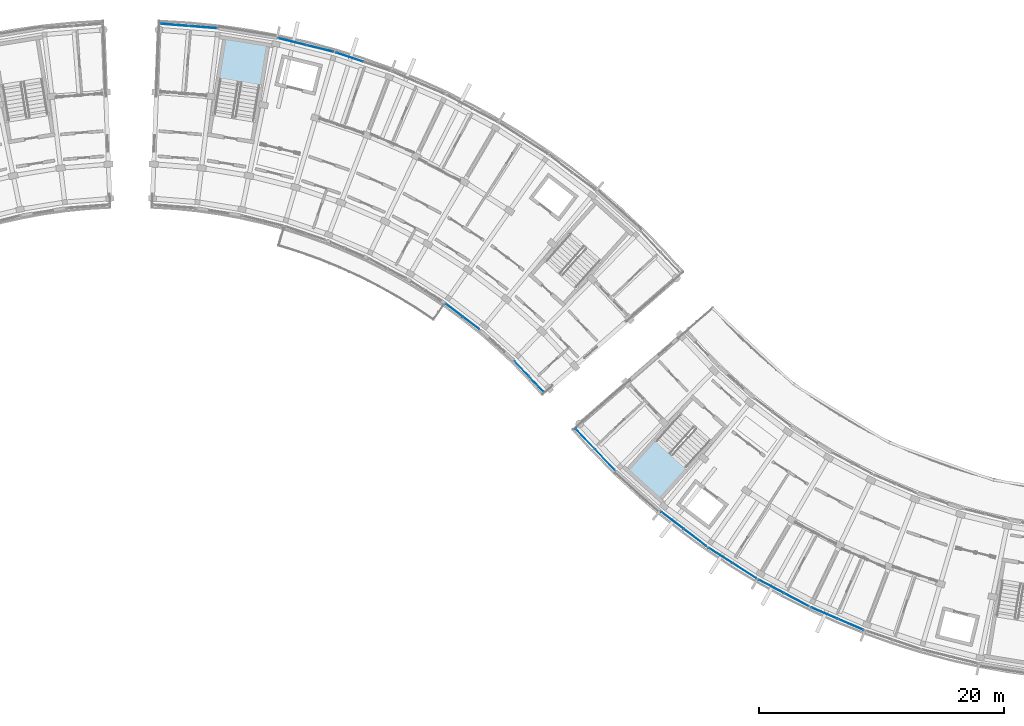
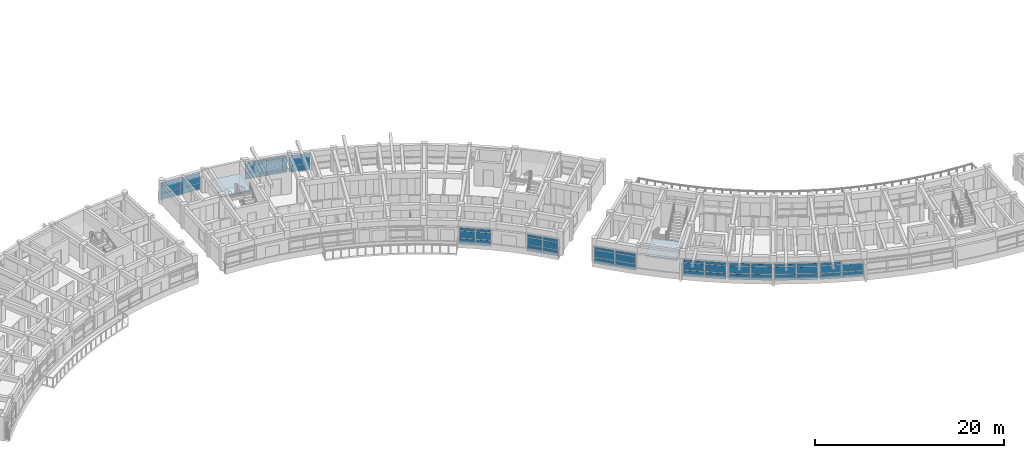
# One storey, part 22 of 54: 56 plates, 2 slabs, 12 elements without a shape of their own.
"""IFC4 building model written with IfcOpenShell, lengths in metres."""

import ifcopenshell
import ifcopenshell.guid

model = None  # the IFC model being written
_history = None  # IfcOwnerHistory: only IFC2X3 demands one
_inside = {}  # id of a spatial element -> (the spatial element, [elements in it])
_under = {}  # id of a project, library or spatial element -> (it, [spatial elements below it])
_declared = {}  # id of a project -> (the project, [libraries it declares])
_typed = {}  # id of a type object -> (the type object, [elements of that type])
_made_of = {}  # id of a material, layer set ... -> (it, [elements and type objects made of it])


def new_model(schema):
    """Start an empty IFC model of exactly this schema.

    Asked for "IFC4X3", IfcOpenShell would pick the latest addendum, in which some entities
    have other attributes; the version numbers below select the first issue.
    IFC2X3 requires an IfcOwnerHistory on every rooted entity: one is made here for all.
    """
    global model, _history
    if schema == "IFC4X3":
        model = ifcopenshell.file(schema_version=(4, 3, 0, 0))
    else:
        model = ifcopenshell.file(schema=schema)
    _inside.clear()
    _under.clear()
    _declared.clear()
    _typed.clear()
    _made_of.clear()
    _history = None
    if model.schema == "IFC2X3":
        org = make("IfcOrganization", Name="unknown")
        user = make(
            "IfcPersonAndOrganization",
            ThePerson=make("IfcPerson", FamilyName="unknown"),
            TheOrganization=org,
        )
        app = make(
            "IfcApplication",
            ApplicationDeveloper=org,
            Version="unknown",
            ApplicationFullName="unknown",
            ApplicationIdentifier="unknown",
        )
        _history = make(
            "IfcOwnerHistory",
            OwningUser=user,
            OwningApplication=app,
            ChangeAction="ADDED",
            CreationDate=0,
        )
    return model


def make(cls, **values):
    """One entity of the class cls with the attributes given. An attribute that is None is left unset."""
    return model.create_entity(
        cls, **{name: value for name, value in values.items() if value is not None}
    )


def rooted(cls, **values):
    """An entity with a GlobalId (a new one), such as an element, a storey or a relation."""
    return make(cls, GlobalId=ifcopenshell.guid.new(), OwnerHistory=_history, **values)


def si_unit(unit_type, name, prefix=None):
    """IfcSIUnit, for example si_unit("LENGTHUNIT", "METRE", prefix="MILLI")."""
    return make("IfcSIUnit", UnitType=unit_type, Prefix=prefix, Name=name)


def assignment(units):
    """IfcUnitAssignment: the units of a project."""
    return None if units is None else make("IfcUnitAssignment", Units=units)


def point(xyz):
    """IfcCartesianPoint."""
    return None if xyz is None else make("IfcCartesianPoint", Coordinates=xyz)


def direction(xyz):
    """IfcDirection."""
    return None if xyz is None else make("IfcDirection", DirectionRatios=xyz)


def frame(location, z_axis=None, x_axis=None):
    """IfcAxis2Placement3D, a coordinate frame: its origin and axes. An axis left out is left unset."""
    return make(
        "IfcAxis2Placement3D",
        Location=point(location),
        Axis=direction(z_axis),
        RefDirection=direction(x_axis),
    )


def frame_2d(location, x_axis=None):
    """IfcAxis2Placement2D, a coordinate frame in the plane: its origin and x axis."""
    return make(
        "IfcAxis2Placement2D", Location=point(location), RefDirection=direction(x_axis)
    )


def origin():
    """The frame at (0, 0, 0) with its axes left unset."""
    return frame((0.0, 0.0, 0.0))


def origin_2d():
    """The frame at (0, 0) in the plane with its x axis left unset."""
    return frame_2d((0.0, 0.0))


def place(relative_to, where):
    """IfcLocalPlacement: puts the frame where relative to a parent placement (None: the world)."""
    return make(
        "IfcLocalPlacement", PlacementRelTo=relative_to, RelativePlacement=where
    )


def context(
    kind, dimensions, precision=None, world=None, true_north=None, identifier=None
):
    """IfcGeometricRepresentationContext, for example the 3D "Model" context."""
    return make(
        "IfcGeometricRepresentationContext",
        ContextIdentifier=identifier,
        ContextType=kind,
        CoordinateSpaceDimension=dimensions,
        Precision=precision,
        WorldCoordinateSystem=world,
        TrueNorth=true_north,
    )


def subcontext(parent, identifier, kind, view, scale=None):
    """IfcGeometricRepresentationSubContext, for example "Body" below "Model"."""
    return make(
        "IfcGeometricRepresentationSubContext",
        ContextIdentifier=identifier,
        ContextType=kind,
        ParentContext=parent,
        TargetScale=scale,
        TargetView=view,
    )


def project(units=None, contexts=None):
    """IfcProject with its units and contexts."""
    return rooted(
        "IfcProject",
        Name="project",
        RepresentationContexts=contexts,
        UnitsInContext=assignment(units),
    )


def spatial(cls, under=None, at=None, **own):
    """A site, building, storey or space (cls), placed at a placement, below another one or the project."""
    s = rooted(cls, ObjectPlacement=at, **own)
    if under is not None:
        _under.setdefault(under.id(), (under, []))[1].append(s)
    return s


def polyline(points):
    """IfcPolyline through the points."""
    return make("IfcPolyline", Points=[point(p) for p in points])


def profile(cls, at=None, kind="AREA", **sizes):
    """A parametric profile (cls). Its sizes go by their IFC names, for example OverallWidth=200.0."""
    return make(cls, ProfileType=kind, Position=at, **sizes)


def rectangle(**sizes):
    """IfcRectangleProfileDef."""
    return profile("IfcRectangleProfileDef", **sizes)


def outline(outer, holes=None, kind="AREA"):
    """IfcArbitraryClosedProfileDef: a profile drawn as a closed curve; with holes, ...WithVoids."""
    if holes is None:
        return make("IfcArbitraryClosedProfileDef", ProfileType=kind, OuterCurve=outer)
    return make(
        "IfcArbitraryProfileDefWithVoids",
        ProfileType=kind,
        OuterCurve=outer,
        InnerCurves=holes,
    )


def extrude(swept, where, along, depth):
    """IfcExtrudedAreaSolid: the profile swept, set in the frame where, extruded along a direction by depth."""
    return make(
        "IfcExtrudedAreaSolid",
        SweptArea=swept,
        Position=where,
        ExtrudedDirection=direction(along),
        Depth=depth,
    )


def shape(context_of_items, identifier, shape_type, items):
    """IfcShapeRepresentation: the items that make up one representation, for example the "Body"."""
    return make(
        "IfcShapeRepresentation",
        ContextOfItems=context_of_items,
        RepresentationIdentifier=identifier,
        RepresentationType=shape_type,
        Items=items,
    )


def material(Name=None, Category=None):
    """IfcMaterial."""
    return make("IfcMaterial", Name=Name, Category=Category)


def layer(
    of_material, thickness, ventilated=None, Name=None, Category=None, Priority=None
):
    """IfcMaterialLayer: one layer of a wall or slab, of a material (None: an air gap)."""
    return make(
        "IfcMaterialLayer",
        Material=of_material,
        LayerThickness=thickness,
        IsVentilated=ventilated,
        Name=Name,
        Category=Category,
        Priority=Priority,
    )


def layer_set(layers, Name=None):
    """IfcMaterialLayerSet."""
    return make("IfcMaterialLayerSet", MaterialLayers=layers, LayerSetName=Name)


def made_of(thing, what):
    """Note that an element or type object is made of a material, layer set ...; save() writes the relation."""
    if what is not None:
        _made_of.setdefault(what.id(), (what, []))[1].append(thing)
    return thing


def type_object(cls, material=None, **own):
    """A type object (cls), such as IfcWallType, which elements share."""
    return made_of(rooted(cls, **own), material)


def element(
    cls,
    number,
    at=None,
    inside=None,
    cuts=None,
    type_object=None,
    material=None,
    context=None,
    identifier="Body",
    shape_type=None,
    held_by="IfcProductDefinitionShape",
    body=None,
    shapes=None,
    **own,
):
    """One element of the class cls, such as IfcWall. Its Tag is "e" and its number.

    at: its placement. inside: the storey or other place that contains it. cuts: it is an
    opening in that element (IfcRelVoidsElement). A single representation is given by context,
    identifier, shape_type and body (its items); several are given by shapes. held_by: the class
    of the entity that holds the representations. save() writes the other relations.
    """
    e = rooted(cls, Tag="e%d" % number, ObjectPlacement=at, **own)
    if body is not None:
        shapes = [shape(context, identifier, shape_type, body)]
    if shapes is not None:
        e.Representation = make(held_by, Representations=shapes)
    if inside is not None:
        _inside.setdefault(inside.id(), (inside, []))[1].append(e)
    if cuts is not None:
        rooted(
            "IfcRelVoidsElement", RelatingBuildingElement=cuts, RelatedOpeningElement=e
        )
    if type_object is not None:
        _typed.setdefault(type_object.id(), (type_object, []))[1].append(e)
    return made_of(e, material)


def aggregate(whole, parts):
    """IfcRelAggregates: a whole, such as a stair, and the parts it consists of."""
    return rooted("IfcRelAggregates", RelatingObject=whole, RelatedObjects=parts)


def save(model, path):
    """Write the relations noted so far, then the file.

    IfcRelAggregates (storeys below a building ...), IfcRelContainedInSpatialStructure (elements
    in a storey), IfcRelDefinesByType, IfcRelAssociatesMaterial and IfcRelDeclares: one each for
    every whole, place, type object, material and project.
    """
    for whole, parts in _under.values():
        aggregate(whole, parts)
    for where, things in _inside.values():
        rooted(
            "IfcRelContainedInSpatialStructure",
            RelatedElements=things,
            RelatingStructure=where,
        )
    for kind, things in _typed.values():
        rooted("IfcRelDefinesByType", RelatedObjects=things, RelatingType=kind)
    for what, things in _made_of.values():
        rooted("IfcRelAssociatesMaterial", RelatedObjects=things, RelatingMaterial=what)
    for by, libraries in _declared.values():
        rooted("IfcRelDeclares", RelatingContext=by, RelatedDefinitions=libraries)
    model.write(path)


model = new_model("IFC4")

# Units and contexts
model_context = context("Model", 3, precision=1e-05, world=origin(), true_north=direction((0.0, 1.0)))
body_context = subcontext(model_context, "Body", "Model", "MODEL_VIEW")
ifc_project = project(units=[si_unit("LENGTHUNIT", "METRE"), si_unit("AREAUNIT", "SQUARE_METRE"), si_unit("VOLUMEUNIT", "CUBIC_METRE"), si_unit("PLANEANGLEUNIT", "RADIAN"), si_unit("MASSUNIT", "GRAM", prefix="KILO")], contexts=[model_context])

# Site, building, storey
site_placement = place(None, origin())
site = spatial("IfcSite", under=ifc_project, at=site_placement, CompositionType="ELEMENT")
building_placement = place(site_placement, origin())
building = spatial("IfcBuilding", under=site, at=building_placement, Name="Zimvara Arc Housing Community", CompositionType="ELEMENT")
storey_placement = place(building_placement, frame((0.0, 0.0, 23.60009765625)))
storey = spatial("IfcBuildingStorey", under=building, at=storey_placement, Name="L07", CompositionType="ELEMENT", Elevation=23.60009765625)

# Curtain wall, plates
ifc_material_1 = material(Name="Anodised Aluminium AW-6063", Category="aluminium")
curtain_wall_type_1 = type_object("IfcCurtainWallType", Name="CW-SYS-04", PredefinedType="USERDEFINED", material=ifc_material_1)
curtain_wall_1_placement = place(storey_placement, origin())
curtain_wall_1 = element("IfcCurtainWall", 1, at=curtain_wall_1_placement, inside=storey, type_object=curtain_wall_type_1, Name="cw:blkB:L07:in:b9", ObjectType="CURTAIN WALL", PredefinedType="USERDEFINED")
ifc_material_2 = material(Name="Pale-Gold Anodised Aluminium Spandrel Panel", Category="aluminium")
ifc_layer_1 = layer(ifc_material_2, 0.035888671875)
ifc_layer_set_1 = layer_set([ifc_layer_1], Name="Pale-Gold Anodised Aluminium Spandrel Panel")
plate_type_1 = type_object("IfcPlateType", Name="CWP-GLD-36", PredefinedType="CURTAIN_PANEL", material=ifc_layer_set_1)
plate_1_placement = place(storey_placement, frame((76.831298828125, 75.727294921875, 0.06494140625), z_axis=(0.0, 0.0, 1.0), x_axis=(0.686326805658, -0.727293280483, 0.0)))
plate_1 = element("IfcPlate", 2, at=plate_1_placement, type_object=plate_type_1, Name="CW04 panel 1.1", PredefinedType="CURTAIN_PANEL", context=body_context, shape_type="SweptSolid", body=[
    extrude(rectangle(XDim=1.664306640625, YDim=0.035888671875, at=origin_2d()), origin(), (0.0, 0.0, 1.0), 0.75244140625),
])
plate_2_placement = place(storey_placement, frame((76.831298828125, 75.727294921875, 0.88232421875), z_axis=(0.0, 0.0, 1.0), x_axis=(0.686326805658, -0.727293280483, 0.0)))
plate_2 = element("IfcPlate", 3, at=plate_2_placement, type_object=plate_type_1, Name="CW04 panel 1.2", PredefinedType="CURTAIN_PANEL", context=body_context, shape_type="SweptSolid", body=[
    extrude(rectangle(XDim=1.664306640625, YDim=0.035888671875, at=origin_2d()), origin(), (0.0, 0.0, 1.0), 0.885009765625),
])
plate_3_placement = place(storey_placement, frame((76.831298828125, 75.727294921875, 1.832275390625), z_axis=(0.0, 0.0, 1.0), x_axis=(0.686326805658, -0.727293280483, 0.0)))
plate_3 = element("IfcPlate", 4, at=plate_3_placement, type_object=plate_type_1, Name="CW04 panel 1.3", PredefinedType="CURTAIN_PANEL", context=body_context, shape_type="SweptSolid", body=[
    extrude(rectangle(XDim=1.664306640625, YDim=0.035888671875, at=origin_2d()), origin(), (0.0, 0.0, 1.0), 0.3525390625),
])
plate_4_placement = place(storey_placement, frame((78.018310546875, 74.469482421875, 0.06494140625), z_axis=(0.0, 0.0, 1.0), x_axis=(0.686326805658, -0.727293280483, 0.0)))
plate_4 = element("IfcPlate", 5, at=plate_4_placement, type_object=plate_type_1, Name="CW04 panel 2.1", PredefinedType="CURTAIN_PANEL", context=body_context, shape_type="SweptSolid", body=[
    extrude(rectangle(XDim=1.664306640625, YDim=0.035888671875, at=origin_2d()), origin(), (0.0, 0.0, 1.0), 0.75244140625),
])
plate_5_placement = place(storey_placement, frame((78.018310546875, 74.469482421875, 0.88232421875), z_axis=(0.0, 0.0, 1.0), x_axis=(0.686326805658, -0.727293280483, 0.0)))
plate_5 = element("IfcPlate", 6, at=plate_5_placement, type_object=plate_type_1, Name="CW04 panel 2.2", PredefinedType="CURTAIN_PANEL", context=body_context, shape_type="SweptSolid", body=[
    extrude(rectangle(XDim=1.664306640625, YDim=0.035888671875, at=origin_2d()), origin(), (0.0, 0.0, 1.0), 0.885009765625),
])
plate_6_placement = place(storey_placement, frame((78.018310546875, 74.469482421875, 1.832275390625), z_axis=(0.0, 0.0, 1.0), x_axis=(0.686326805658, -0.727293280483, 0.0)))
plate_6 = element("IfcPlate", 7, at=plate_6_placement, type_object=plate_type_1, Name="CW04 panel 2.3", PredefinedType="CURTAIN_PANEL", context=body_context, shape_type="SweptSolid", body=[
    extrude(rectangle(XDim=1.664306640625, YDim=0.035888671875, at=origin_2d()), origin(), (0.0, 0.0, 1.0), 0.3525390625),
])
aggregate(curtain_wall_1, [plate_1, plate_2, plate_3, plate_4, plate_5, plate_6])

curtain_wall_2_placement = place(storey_placement, origin())
curtain_wall_2 = element("IfcCurtainWall", 8, at=curtain_wall_2_placement, inside=storey, type_object=curtain_wall_type_1, Name="cw:blkC:L07:out:b2", ObjectType="CURTAIN WALL", PredefinedType="USERDEFINED")
plate_7_placement = place(storey_placement, frame((89.098876953125, 63.370849609375, 0.06494140625), z_axis=(0.0, 0.0, 1.0), x_axis=(0.795473999177, -0.60598771987, 0.0)))
plate_7 = element("IfcPlate", 9, at=plate_7_placement, type_object=plate_type_1, Name="CW04 panel 1.1", PredefinedType="CURTAIN_PANEL", context=body_context, shape_type="SweptSolid", body=[
    extrude(rectangle(XDim=2.266845703125, YDim=0.035888671875, at=origin_2d()), origin(), (0.0, 0.0, 1.0), 0.75244140625),
])
plate_8_placement = place(storey_placement, frame((89.098876953125, 63.370849609375, 0.88232421875), z_axis=(0.0, 0.0, 1.0), x_axis=(0.795473999177, -0.60598771987, 0.0)))
plate_8 = element("IfcPlate", 10, at=plate_8_placement, type_object=plate_type_1, Name="CW04 panel 1.2", PredefinedType="CURTAIN_PANEL", context=body_context, shape_type="SweptSolid", body=[
    extrude(rectangle(XDim=2.266845703125, YDim=0.035888671875, at=origin_2d()), origin(), (0.0, 0.0, 1.0), 0.885009765625),
])
plate_9_placement = place(storey_placement, frame((89.098876953125, 63.370849609375, 1.832275390625), z_axis=(0.0, 0.0, 1.0), x_axis=(0.795473999177, -0.60598771987, 0.0)))
plate_9 = element("IfcPlate", 11, at=plate_9_placement, type_object=plate_type_1, Name="CW04 panel 1.3", PredefinedType="CURTAIN_PANEL", context=body_context, shape_type="SweptSolid", body=[
    extrude(rectangle(XDim=2.266845703125, YDim=0.035888671875, at=origin_2d()), origin(), (0.0, 0.0, 1.0), 0.3525390625),
])
plate_10_placement = place(storey_placement, frame((90.953857421875, 61.95751953125, 0.06494140625), z_axis=(0.0, 0.0, 1.0), x_axis=(0.795473999177, -0.60598771987, 0.0)))
plate_10 = element("IfcPlate", 12, at=plate_10_placement, type_object=plate_type_1, Name="CW04 panel 2.1", PredefinedType="CURTAIN_PANEL", context=body_context, shape_type="SweptSolid", body=[
    extrude(rectangle(XDim=2.266845703125, YDim=0.035888671875, at=origin_2d()), origin(), (0.0, 0.0, 1.0), 0.75244140625),
])
plate_11_placement = place(storey_placement, frame((90.953857421875, 61.95751953125, 0.88232421875), z_axis=(0.0, 0.0, 1.0), x_axis=(0.795473999177, -0.60598771987, 0.0)))
plate_11 = element("IfcPlate", 13, at=plate_11_placement, type_object=plate_type_1, Name="CW04 panel 2.2", PredefinedType="CURTAIN_PANEL", context=body_context, shape_type="SweptSolid", body=[
    extrude(rectangle(XDim=2.266845703125, YDim=0.035888671875, at=origin_2d()), origin(), (0.0, 0.0, 1.0), 0.885009765625),
])
plate_12_placement = place(storey_placement, frame((90.953857421875, 61.95751953125, 1.832275390625), z_axis=(0.0, 0.0, 1.0), x_axis=(0.795473999177, -0.60598771987, 0.0)))
plate_12 = element("IfcPlate", 14, at=plate_12_placement, type_object=plate_type_1, Name="CW04 panel 2.3", PredefinedType="CURTAIN_PANEL", context=body_context, shape_type="SweptSolid", body=[
    extrude(rectangle(XDim=2.266845703125, YDim=0.035888671875, at=origin_2d()), origin(), (0.0, 0.0, 1.0), 0.3525390625),
])
aggregate(curtain_wall_2, [plate_7, plate_8, plate_9, plate_10, plate_11, plate_12])

ifc_material_3 = material(Name="Anodised Aluminium AW-6063", Category="aluminium")
curtain_wall_type_2 = type_object("IfcCurtainWallType", Name="CW-SYS-01", PredefinedType="USERDEFINED", material=ifc_material_3)
curtain_wall_3_placement = place(storey_placement, origin())
curtain_wall_3 = element("IfcCurtainWall", 15, at=curtain_wall_3_placement, inside=storey, type_object=curtain_wall_type_2, Name="cw:blkB:L07:out:b2", ObjectType="CURTAIN WALL", PredefinedType="USERDEFINED")
ifc_material_4 = material(Name="Solar Control Low-E Double Glazing", Category="glass")
ifc_layer_2 = layer(ifc_material_4, 0.02392578125)
ifc_layer_set_2 = layer_set([ifc_layer_2], Name="Solar Control Low-E Double Glazing")
plate_type_2 = type_object("IfcPlateType", Name="CWP-GLZ-24", PredefinedType="CURTAIN_PANEL", material=ifc_layer_set_2)
plate_13_placement = place(storey_placement, frame((58.12109375, 102.373291015625, 0.06494140625), z_axis=(0.0, 0.0, 1.0), x_axis=(0.970716068627, -0.240229711131, 0.0)))
plate_13 = element("IfcPlate", 16, at=plate_13_placement, type_object=plate_type_2, Name="CW01 panel 1.1", PredefinedType="CURTAIN_PANEL", context=body_context, shape_type="SweptSolid", body=[
    extrude(rectangle(XDim=2.266845703125, YDim=0.02392578125, at=origin_2d()), origin(), (0.0, 0.0, 1.0), 0.75244140625),
])
plate_14_placement = place(storey_placement, frame((58.12109375, 102.373291015625, 0.88232421875), z_axis=(0.0, 0.0, 1.0), x_axis=(0.970716068627, -0.240229711131, 0.0)))
plate_14 = element("IfcPlate", 17, at=plate_14_placement, type_object=plate_type_2, Name="CW01 panel 1.2", PredefinedType="CURTAIN_PANEL", context=body_context, shape_type="SweptSolid", body=[
    extrude(rectangle(XDim=2.266845703125, YDim=0.02392578125, at=origin_2d()), origin(), (0.0, 0.0, 1.0), 0.885009765625),
])
plate_15_placement = place(storey_placement, frame((58.12109375, 102.373291015625, 1.832275390625), z_axis=(0.0, 0.0, 1.0), x_axis=(0.970716068627, -0.240229711131, 0.0)))
plate_15 = element("IfcPlate", 18, at=plate_15_placement, type_object=plate_type_2, Name="CW01 panel 1.3", PredefinedType="CURTAIN_PANEL", context=body_context, shape_type="SweptSolid", body=[
    extrude(rectangle(XDim=2.266845703125, YDim=0.02392578125, at=origin_2d()), origin(), (0.0, 0.0, 1.0), 0.3525390625),
])
plate_16_placement = place(storey_placement, frame((60.384765625, 101.81298828125, 0.06494140625), z_axis=(0.0, 0.0, 1.0), x_axis=(0.970716068627, -0.240229711131, 0.0)))
plate_16 = element("IfcPlate", 19, at=plate_16_placement, type_object=plate_type_2, Name="CW01 panel 2.1", PredefinedType="CURTAIN_PANEL", context=body_context, shape_type="SweptSolid", body=[
    extrude(rectangle(XDim=2.266845703125, YDim=0.02392578125, at=origin_2d()), origin(), (0.0, 0.0, 1.0), 0.75244140625),
])
plate_17_placement = place(storey_placement, frame((60.384765625, 101.81298828125, 0.88232421875), z_axis=(0.0, 0.0, 1.0), x_axis=(0.970716068627, -0.240229711131, 0.0)))
plate_17 = element("IfcPlate", 20, at=plate_17_placement, type_object=plate_type_2, Name="CW01 panel 2.2", PredefinedType="CURTAIN_PANEL", context=body_context, shape_type="SweptSolid", body=[
    extrude(rectangle(XDim=2.266845703125, YDim=0.02392578125, at=origin_2d()), origin(), (0.0, 0.0, 1.0), 0.885009765625),
])
plate_18_placement = place(storey_placement, frame((60.384765625, 101.81298828125, 1.832275390625), z_axis=(0.0, 0.0, 1.0), x_axis=(0.970716068627, -0.240229711131, 0.0)))
plate_18 = element("IfcPlate", 21, at=plate_18_placement, type_object=plate_type_2, Name="CW01 panel 2.3", PredefinedType="CURTAIN_PANEL", context=body_context, shape_type="SweptSolid", body=[
    extrude(rectangle(XDim=2.266845703125, YDim=0.02392578125, at=origin_2d()), origin(), (0.0, 0.0, 1.0), 0.3525390625),
])
aggregate(curtain_wall_3, [plate_13, plate_14, plate_15, plate_16, plate_17, plate_18])

curtain_wall_4_placement = place(storey_placement, origin())
curtain_wall_4 = element("IfcCurtainWall", 22, at=curtain_wall_4_placement, inside=storey, type_object=curtain_wall_type_2, Name="cw:blkC:L07:out:b5", ObjectType="CURTAIN WALL", PredefinedType="USERDEFINED")
plate_19_placement = place(storey_placement, frame((101.47900390625, 55.812255859375, 0.06494140625), z_axis=(0.0, 0.0, 1.0), x_axis=(0.918722299363, -0.394904211998, 0.0)))
plate_19 = element("IfcPlate", 23, at=plate_19_placement, type_object=plate_type_2, Name="CW01 panel 1.1", PredefinedType="CURTAIN_PANEL", context=body_context, shape_type="SweptSolid", body=[
    extrude(rectangle(XDim=2.266845703125, YDim=0.02392578125, at=origin_2d()), origin(), (0.0, 0.0, 1.0), 0.75244140625),
])
plate_20_placement = place(storey_placement, frame((101.47900390625, 55.812255859375, 0.88232421875), z_axis=(0.0, 0.0, 1.0), x_axis=(0.918722299363, -0.394904211998, 0.0)))
plate_20 = element("IfcPlate", 24, at=plate_20_placement, type_object=plate_type_2, Name="CW01 panel 1.2", PredefinedType="CURTAIN_PANEL", context=body_context, shape_type="SweptSolid", body=[
    extrude(rectangle(XDim=2.266845703125, YDim=0.02392578125, at=origin_2d()), origin(), (0.0, 0.0, 1.0), 0.885009765625),
])
plate_21_placement = place(storey_placement, frame((101.47900390625, 55.812255859375, 1.832275390625), z_axis=(0.0, 0.0, 1.0), x_axis=(0.918722299363, -0.394904211998, 0.0)))
plate_21 = element("IfcPlate", 25, at=plate_21_placement, type_object=plate_type_2, Name="CW01 panel 1.3", PredefinedType="CURTAIN_PANEL", context=body_context, shape_type="SweptSolid", body=[
    extrude(rectangle(XDim=2.266845703125, YDim=0.02392578125, at=origin_2d()), origin(), (0.0, 0.0, 1.0), 0.3525390625),
])
plate_22_placement = place(storey_placement, frame((103.621337890625, 54.891357421875, 0.06494140625), z_axis=(0.0, 0.0, 1.0), x_axis=(0.918722299363, -0.394904211998, 0.0)))
plate_22 = element("IfcPlate", 26, at=plate_22_placement, type_object=plate_type_2, Name="CW01 panel 2.1", PredefinedType="CURTAIN_PANEL", context=body_context, shape_type="SweptSolid", body=[
    extrude(rectangle(XDim=2.266845703125, YDim=0.02392578125, at=origin_2d()), origin(), (0.0, 0.0, 1.0), 0.75244140625),
])
plate_23_placement = place(storey_placement, frame((103.621337890625, 54.891357421875, 0.88232421875), z_axis=(0.0, 0.0, 1.0), x_axis=(0.918722299363, -0.394904211998, 0.0)))
plate_23 = element("IfcPlate", 27, at=plate_23_placement, type_object=plate_type_2, Name="CW01 panel 2.2", PredefinedType="CURTAIN_PANEL", context=body_context, shape_type="SweptSolid", body=[
    extrude(rectangle(XDim=2.266845703125, YDim=0.02392578125, at=origin_2d()), origin(), (0.0, 0.0, 1.0), 0.885009765625),
])
aggregate(curtain_wall_4, [plate_19, plate_20, plate_21, plate_22, plate_23])

ifc_material_5 = material(Name="Anodised Aluminium AW-6063", Category="aluminium")
curtain_wall_type_3 = type_object("IfcCurtainWallType", Name="CW-SYS-02", PredefinedType="USERDEFINED", material=ifc_material_5)
curtain_wall_5_placement = place(storey_placement, origin())
curtain_wall_5 = element("IfcCurtainWall", 28, at=curtain_wall_5_placement, inside=storey, type_object=curtain_wall_type_3, Name="cw:blkB:L07:in:b7", ObjectType="CURTAIN WALL", PredefinedType="USERDEFINED")
ifc_material_6 = material(Name="Solar Control Low-E Double Glazing", Category="glass")
ifc_layer_3 = layer(ifc_material_6, 0.028076171875)
ifc_layer_set_3 = layer_set([ifc_layer_3], Name="Solar Control Low-E Double Glazing")
plate_type_3 = type_object("IfcPlateType", Name="CWP-GLZ-28", PredefinedType="CURTAIN_PANEL", material=ifc_layer_set_3)
plate_24_placement = place(storey_placement, frame((71.328857421875, 80.48828125, 0.06494140625), z_axis=(0.0, 0.0, 1.0), x_axis=(0.795473543119, -0.605988318533, 0.0)))
plate_24 = element("IfcPlate", 29, at=plate_24_placement, type_object=plate_type_3, Name="CW02 panel 1.1", PredefinedType="CURTAIN_PANEL", context=body_context, shape_type="SweptSolid", body=[
    extrude(rectangle(XDim=1.664306640625, YDim=0.028076171875, at=origin_2d()), origin(), (0.0, 0.0, 1.0), 0.75244140625),
])
plate_25_placement = place(storey_placement, frame((71.328857421875, 80.48828125, 0.88232421875), z_axis=(0.0, 0.0, 1.0), x_axis=(0.795473543119, -0.605988318533, 0.0)))
plate_25 = element("IfcPlate", 30, at=plate_25_placement, type_object=plate_type_3, Name="CW02 panel 1.2", PredefinedType="CURTAIN_PANEL", context=body_context, shape_type="SweptSolid", body=[
    extrude(rectangle(XDim=1.664306640625, YDim=0.028076171875, at=origin_2d()), origin(), (0.0, 0.0, 1.0), 0.885009765625),
])
plate_26_placement = place(storey_placement, frame((71.328857421875, 80.48828125, 1.832275390625), z_axis=(0.0, 0.0, 1.0), x_axis=(0.795473543119, -0.605988318533, 0.0)))
plate_26 = element("IfcPlate", 31, at=plate_26_placement, type_object=plate_type_3, Name="CW02 panel 1.3", PredefinedType="CURTAIN_PANEL", context=body_context, shape_type="SweptSolid", body=[
    extrude(rectangle(XDim=1.664306640625, YDim=0.028076171875, at=origin_2d()), origin(), (0.0, 0.0, 1.0), 0.3525390625),
])
plate_27_placement = place(storey_placement, frame((72.704345703125, 79.4404296875, 0.06494140625), z_axis=(0.0, 0.0, 1.0), x_axis=(0.795473543119, -0.605988318533, 0.0)))
plate_27 = element("IfcPlate", 32, at=plate_27_placement, type_object=plate_type_3, Name="CW02 panel 2.1", PredefinedType="CURTAIN_PANEL", context=body_context, shape_type="SweptSolid", body=[
    extrude(rectangle(XDim=1.664306640625, YDim=0.028076171875, at=origin_2d()), origin(), (0.0, 0.0, 1.0), 0.75244140625),
])
plate_28_placement = place(storey_placement, frame((72.704345703125, 79.4404296875, 0.88232421875), z_axis=(0.0, 0.0, 1.0), x_axis=(0.795473543119, -0.605988318533, 0.0)))
plate_28 = element("IfcPlate", 33, at=plate_28_placement, type_object=plate_type_3, Name="CW02 panel 2.2", PredefinedType="CURTAIN_PANEL", context=body_context, shape_type="SweptSolid", body=[
    extrude(rectangle(XDim=1.664306640625, YDim=0.028076171875, at=origin_2d()), origin(), (0.0, 0.0, 1.0), 0.885009765625),
])
plate_29_placement = place(storey_placement, frame((72.704345703125, 79.4404296875, 1.832275390625), z_axis=(0.0, 0.0, 1.0), x_axis=(0.795473543119, -0.605988318533, 0.0)))
plate_29 = element("IfcPlate", 34, at=plate_29_placement, type_object=plate_type_3, Name="CW02 panel 2.3", PredefinedType="CURTAIN_PANEL", context=body_context, shape_type="SweptSolid", body=[
    extrude(rectangle(XDim=1.664306640625, YDim=0.028076171875, at=origin_2d()), origin(), (0.0, 0.0, 1.0), 0.3525390625),
])
aggregate(curtain_wall_5, [plate_24, plate_25, plate_26, plate_27, plate_28, plate_29])

ifc_material_7 = material(Name="Anodised Aluminium AW-6063", Category="aluminium")
curtain_wall_type_4 = type_object("IfcCurtainWallType", Name="CW-SYS-06", PredefinedType="USERDEFINED", material=ifc_material_7)
curtain_wall_6_placement = place(storey_placement, origin())
curtain_wall_6 = element("IfcCurtainWall", 35, at=curtain_wall_6_placement, inside=storey, type_object=curtain_wall_type_4, Name="cw:blkC:L07:out:b3", ObjectType="CURTAIN WALL", PredefinedType="USERDEFINED")
plate_30_placement = place(storey_placement, frame((93.014892578125, 60.5166015625, 0.06494140625), z_axis=(0.0, 0.0, 1.0), x_axis=(0.842264410931, -0.539064617721, 0.0)))
plate_30 = element("IfcPlate", 36, at=plate_30_placement, type_object=plate_type_3, Name="CW06 panel 1.1", PredefinedType="CURTAIN_PANEL", context=body_context, shape_type="SweptSolid", body=[
    extrude(rectangle(XDim=2.266845703125, YDim=0.028076171875, at=origin_2d()), origin(), (0.0, 0.0, 1.0), 0.75244140625),
])
plate_31_placement = place(storey_placement, frame((93.014892578125, 60.5166015625, 0.88232421875), z_axis=(0.0, 0.0, 1.0), x_axis=(0.842264410931, -0.539064617721, 0.0)))
plate_31 = element("IfcPlate", 37, at=plate_31_placement, type_object=plate_type_3, Name="CW06 panel 1.2", PredefinedType="CURTAIN_PANEL", context=body_context, shape_type="SweptSolid", body=[
    extrude(rectangle(XDim=2.266845703125, YDim=0.028076171875, at=origin_2d()), origin(), (0.0, 0.0, 1.0), 0.885009765625),
])
plate_32_placement = place(storey_placement, frame((93.014892578125, 60.5166015625, 1.832275390625), z_axis=(0.0, 0.0, 1.0), x_axis=(0.842264410931, -0.539064617721, 0.0)))
plate_32 = element("IfcPlate", 38, at=plate_32_placement, type_object=plate_type_3, Name="CW06 panel 1.3", PredefinedType="CURTAIN_PANEL", context=body_context, shape_type="SweptSolid", body=[
    extrude(rectangle(XDim=2.266845703125, YDim=0.028076171875, at=origin_2d()), origin(), (0.0, 0.0, 1.0), 0.3525390625),
])
plate_33_placement = place(storey_placement, frame((94.97900390625, 59.259521484375, 0.06494140625), z_axis=(0.0, 0.0, 1.0), x_axis=(0.842264410931, -0.539064617721, 0.0)))
plate_33 = element("IfcPlate", 39, at=plate_33_placement, type_object=plate_type_3, Name="CW06 panel 2.1", PredefinedType="CURTAIN_PANEL", context=body_context, shape_type="SweptSolid", body=[
    extrude(rectangle(XDim=2.266845703125, YDim=0.028076171875, at=origin_2d()), origin(), (0.0, 0.0, 1.0), 0.75244140625),
])
plate_34_placement = place(storey_placement, frame((94.97900390625, 59.259521484375, 0.88232421875), z_axis=(0.0, 0.0, 1.0), x_axis=(0.842264410931, -0.539064617721, 0.0)))
plate_34 = element("IfcPlate", 40, at=plate_34_placement, type_object=plate_type_3, Name="CW06 panel 2.2", PredefinedType="CURTAIN_PANEL", context=body_context, shape_type="SweptSolid", body=[
    extrude(rectangle(XDim=2.266845703125, YDim=0.028076171875, at=origin_2d()), origin(), (0.0, 0.0, 1.0), 0.885009765625),
])
plate_35_placement = place(storey_placement, frame((94.97900390625, 59.259521484375, 1.832275390625), z_axis=(0.0, 0.0, 1.0), x_axis=(0.842264410931, -0.539064617721, 0.0)))
plate_35 = element("IfcPlate", 41, at=plate_35_placement, type_object=plate_type_3, Name="CW06 panel 2.3", PredefinedType="CURTAIN_PANEL", context=body_context, shape_type="SweptSolid", body=[
    extrude(rectangle(XDim=2.266845703125, YDim=0.028076171875, at=origin_2d()), origin(), (0.0, 0.0, 1.0), 0.3525390625),
])
aggregate(curtain_wall_6, [plate_30, plate_31, plate_32, plate_33, plate_34, plate_35])

ifc_material_8 = material(Name="Anodised Aluminium AW-6063", Category="aluminium")
curtain_wall_type_5 = type_object("IfcCurtainWallType", Name="CW-SYS-07", PredefinedType="USERDEFINED", material=ifc_material_8)
curtain_wall_7_placement = place(storey_placement, origin())
curtain_wall_7 = element("IfcCurtainWall", 42, at=curtain_wall_7_placement, inside=storey, type_object=curtain_wall_type_5, Name="cw:blkB:L07:out:b0", ObjectType="CURTAIN WALL", PredefinedType="USERDEFINED")
ifc_material_9 = material(Name="Acoustic Laminated Solar Glazing", Category="glass")
ifc_layer_4 = layer(ifc_material_9, 0.031982421875)
ifc_layer_set_4 = layer_set([ifc_layer_4], Name="Acoustic Laminated Solar Glazing")
plate_type_4 = type_object("IfcPlateType", Name="CWP-GLZ-32", PredefinedType="CURTAIN_PANEL", material=ifc_layer_set_4)
plate_36_placement = place(storey_placement, frame((48.533935546875, 103.736572265625, 0.06494140625), z_axis=(0.0, 0.0, 1.0), x_axis=(0.996862418963, -0.079153759607, 0.0)))
plate_36 = element("IfcPlate", 43, at=plate_36_placement, type_object=plate_type_4, Name="CW07 panel 1.1", PredefinedType="CURTAIN_PANEL", context=body_context, shape_type="SweptSolid", body=[
    extrude(rectangle(XDim=2.266845703125, YDim=0.031982421875, at=origin_2d()), origin(), (0.0, 0.0, 1.0), 0.75244140625),
])
plate_37_placement = place(storey_placement, frame((48.533935546875, 103.736572265625, 0.88232421875), z_axis=(0.0, 0.0, 1.0), x_axis=(0.996862418963, -0.079153759607, 0.0)))
plate_37 = element("IfcPlate", 44, at=plate_37_placement, type_object=plate_type_4, Name="CW07 panel 1.2", PredefinedType="CURTAIN_PANEL", context=body_context, shape_type="SweptSolid", body=[
    extrude(rectangle(XDim=2.266845703125, YDim=0.031982421875, at=origin_2d()), origin(), (0.0, 0.0, 1.0), 0.885009765625),
])
plate_38_placement = place(storey_placement, frame((48.533935546875, 103.736572265625, 1.832275390625), z_axis=(0.0, 0.0, 1.0), x_axis=(0.996862418963, -0.079153759607, 0.0)))
plate_38 = element("IfcPlate", 45, at=plate_38_placement, type_object=plate_type_4, Name="CW07 panel 1.3", PredefinedType="CURTAIN_PANEL", context=body_context, shape_type="SweptSolid", body=[
    extrude(rectangle(XDim=2.266845703125, YDim=0.031982421875, at=origin_2d()), origin(), (0.0, 0.0, 1.0), 0.3525390625),
])
plate_39_placement = place(storey_placement, frame((50.858642578125, 103.552001953125, 0.06494140625), z_axis=(0.0, 0.0, 1.0), x_axis=(0.996862418963, -0.079153759607, 0.0)))
plate_39 = element("IfcPlate", 46, at=plate_39_placement, type_object=plate_type_4, Name="CW07 panel 2.1", PredefinedType="CURTAIN_PANEL", context=body_context, shape_type="SweptSolid", body=[
    extrude(rectangle(XDim=2.266845703125, YDim=0.031982421875, at=origin_2d()), origin(), (0.0, 0.0, 1.0), 0.75244140625),
])
plate_40_placement = place(storey_placement, frame((50.858642578125, 103.552001953125, 0.88232421875), z_axis=(0.0, 0.0, 1.0), x_axis=(0.996862418963, -0.079153759607, 0.0)))
plate_40 = element("IfcPlate", 47, at=plate_40_placement, type_object=plate_type_4, Name="CW07 panel 2.2", PredefinedType="CURTAIN_PANEL", context=body_context, shape_type="SweptSolid", body=[
    extrude(rectangle(XDim=2.266845703125, YDim=0.031982421875, at=origin_2d()), origin(), (0.0, 0.0, 1.0), 0.885009765625),
])
plate_41_placement = place(storey_placement, frame((50.858642578125, 103.552001953125, 1.832275390625), z_axis=(0.0, 0.0, 1.0), x_axis=(0.996862418963, -0.079153759607, 0.0)))
plate_41 = element("IfcPlate", 48, at=plate_41_placement, type_object=plate_type_4, Name="CW07 panel 2.3", PredefinedType="CURTAIN_PANEL", context=body_context, shape_type="SweptSolid", body=[
    extrude(rectangle(XDim=2.266845703125, YDim=0.031982421875, at=origin_2d()), origin(), (0.0, 0.0, 1.0), 0.3525390625),
])
aggregate(curtain_wall_7, [plate_36, plate_37, plate_38, plate_39, plate_40, plate_41])

ifc_material_10 = material(Name="Anodised Aluminium AW-6063", Category="aluminium")
curtain_wall_type_6 = type_object("IfcCurtainWallType", Name="CW-SYS-03", PredefinedType="USERDEFINED", material=ifc_material_10)
curtain_wall_8_placement = place(storey_placement, origin())
curtain_wall_8 = element("IfcCurtainWall", 49, at=curtain_wall_8_placement, inside=storey, type_object=curtain_wall_type_6, Name="cw:blkB:L07:out:b3", ObjectType="CURTAIN WALL", PredefinedType="USERDEFINED")
plate_42_placement = place(storey_placement, frame((62.799072265625, 101.109619140625, 0.06494140625), z_axis=(0.0, 0.0, 1.0), x_axis=(0.947879647164, -0.318628583921, 0.0)))
plate_42 = element("IfcPlate", 50, at=plate_42_placement, type_object=plate_type_4, Name="CW03 panel 1.1", PredefinedType="CURTAIN_PANEL", context=body_context, shape_type="SweptSolid", body=[
    extrude(rectangle(XDim=2.266845703125, YDim=0.031982421875, at=origin_2d()), origin(), (0.0, 0.0, 1.0), 0.75244140625),
])
plate_43_placement = place(storey_placement, frame((62.799072265625, 101.109619140625, 0.88232421875), z_axis=(0.0, 0.0, 1.0), x_axis=(0.947879647164, -0.318628583921, 0.0)))
plate_43 = element("IfcPlate", 51, at=plate_43_placement, type_object=plate_type_4, Name="CW03 panel 1.2", PredefinedType="CURTAIN_PANEL", context=body_context, shape_type="SweptSolid", body=[
    extrude(rectangle(XDim=2.266845703125, YDim=0.031982421875, at=origin_2d()), origin(), (0.0, 0.0, 1.0), 0.885009765625),
])
plate_44_placement = place(storey_placement, frame((62.799072265625, 101.109619140625, 1.832275390625), z_axis=(0.0, 0.0, 1.0), x_axis=(0.947879647164, -0.318628583921, 0.0)))
plate_44 = element("IfcPlate", 52, at=plate_44_placement, type_object=plate_type_4, Name="CW03 panel 1.3", PredefinedType="CURTAIN_PANEL", context=body_context, shape_type="SweptSolid", body=[
    extrude(rectangle(XDim=2.266845703125, YDim=0.031982421875, at=origin_2d()), origin(), (0.0, 0.0, 1.0), 0.3525390625),
])
aggregate(curtain_wall_8, [plate_42, plate_43, plate_44])

curtain_wall_9_placement = place(storey_placement, origin())
curtain_wall_9 = element("IfcCurtainWall", 53, at=curtain_wall_9_placement, inside=storey, type_object=curtain_wall_type_6, Name="cw:blkC:L07:out:b0", ObjectType="CURTAIN WALL", PredefinedType="USERDEFINED")
plate_45_placement = place(storey_placement, frame((82.029052734375, 69.988037109375, 0.06494140625), z_axis=(0.0, 0.0, 1.0), x_axis=(0.686326416495, -0.727293647725, 0.0)))
plate_45 = element("IfcPlate", 54, at=plate_45_placement, type_object=plate_type_4, Name="CW03 panel 1.1", PredefinedType="CURTAIN_PANEL", context=body_context, shape_type="SweptSolid", body=[
    extrude(rectangle(XDim=2.266845703125, YDim=0.031982421875, at=origin_2d()), origin(), (0.0, 0.0, 1.0), 0.75244140625),
])
plate_46_placement = place(storey_placement, frame((82.029052734375, 69.988037109375, 0.88232421875), z_axis=(0.0, 0.0, 1.0), x_axis=(0.686326416495, -0.727293647725, 0.0)))
plate_46 = element("IfcPlate", 55, at=plate_46_placement, type_object=plate_type_4, Name="CW03 panel 1.2", PredefinedType="CURTAIN_PANEL", context=body_context, shape_type="SweptSolid", body=[
    extrude(rectangle(XDim=2.266845703125, YDim=0.031982421875, at=origin_2d()), origin(), (0.0, 0.0, 1.0), 0.885009765625),
])
plate_47_placement = place(storey_placement, frame((82.029052734375, 69.988037109375, 1.832275390625), z_axis=(0.0, 0.0, 1.0), x_axis=(0.686326416495, -0.727293647725, 0.0)))
plate_47 = element("IfcPlate", 56, at=plate_47_placement, type_object=plate_type_4, Name="CW03 panel 1.3", PredefinedType="CURTAIN_PANEL", context=body_context, shape_type="SweptSolid", body=[
    extrude(rectangle(XDim=2.266845703125, YDim=0.031982421875, at=origin_2d()), origin(), (0.0, 0.0, 1.0), 0.3525390625),
])
plate_48_placement = place(storey_placement, frame((83.629638671875, 68.2919921875, 0.06494140625), z_axis=(0.0, 0.0, 1.0), x_axis=(0.686326416495, -0.727293647725, 0.0)))
plate_48 = element("IfcPlate", 57, at=plate_48_placement, type_object=plate_type_4, Name="CW03 panel 2.1", PredefinedType="CURTAIN_PANEL", context=body_context, shape_type="SweptSolid", body=[
    extrude(rectangle(XDim=2.266845703125, YDim=0.031982421875, at=origin_2d()), origin(), (0.0, 0.0, 1.0), 0.75244140625),
])
plate_49_placement = place(storey_placement, frame((83.629638671875, 68.2919921875, 0.88232421875), z_axis=(0.0, 0.0, 1.0), x_axis=(0.686326416495, -0.727293647725, 0.0)))
plate_49 = element("IfcPlate", 58, at=plate_49_placement, type_object=plate_type_4, Name="CW03 panel 2.2", PredefinedType="CURTAIN_PANEL", context=body_context, shape_type="SweptSolid", body=[
    extrude(rectangle(XDim=2.266845703125, YDim=0.031982421875, at=origin_2d()), origin(), (0.0, 0.0, 1.0), 0.885009765625),
])
plate_50_placement = place(storey_placement, frame((83.629638671875, 68.2919921875, 1.832275390625), z_axis=(0.0, 0.0, 1.0), x_axis=(0.686326416495, -0.727293647725, 0.0)))
plate_50 = element("IfcPlate", 59, at=plate_50_placement, type_object=plate_type_4, Name="CW03 panel 2.3", PredefinedType="CURTAIN_PANEL", context=body_context, shape_type="SweptSolid", body=[
    extrude(rectangle(XDim=2.266845703125, YDim=0.031982421875, at=origin_2d()), origin(), (0.0, 0.0, 1.0), 0.3525390625),
])
aggregate(curtain_wall_9, [plate_45, plate_46, plate_47, plate_48, plate_49, plate_50])

curtain_wall_10_placement = place(storey_placement, origin())
curtain_wall_10 = element("IfcCurtainWall", 60, at=curtain_wall_10_placement, inside=storey, type_object=curtain_wall_type_5, Name="cw:blkC:L07:out:b4", ObjectType="CURTAIN WALL", PredefinedType="USERDEFINED")
plate_51_placement = place(storey_placement, frame((97.15087890625, 57.991455078125, 0.06494140625), z_axis=(0.0, 0.0, 1.0), x_axis=(0.883438614651, -0.468546917761, 0.0)))
plate_51 = element("IfcPlate", 61, at=plate_51_placement, type_object=plate_type_4, Name="CW07 panel 1.1", PredefinedType="CURTAIN_PANEL", context=body_context, shape_type="SweptSolid", body=[
    extrude(rectangle(XDim=2.266845703125, YDim=0.031982421875, at=origin_2d()), origin(), (0.0, 0.0, 1.0), 0.75244140625),
])
plate_52_placement = place(storey_placement, frame((97.15087890625, 57.991455078125, 0.88232421875), z_axis=(0.0, 0.0, 1.0), x_axis=(0.883438614651, -0.468546917761, 0.0)))
plate_52 = element("IfcPlate", 62, at=plate_52_placement, type_object=plate_type_4, Name="CW07 panel 1.2", PredefinedType="CURTAIN_PANEL", context=body_context, shape_type="SweptSolid", body=[
    extrude(rectangle(XDim=2.266845703125, YDim=0.031982421875, at=origin_2d()), origin(), (0.0, 0.0, 1.0), 0.885009765625),
])
plate_53_placement = place(storey_placement, frame((97.15087890625, 57.991455078125, 1.832275390625), z_axis=(0.0, 0.0, 1.0), x_axis=(0.883438614651, -0.468546917761, 0.0)))
plate_53 = element("IfcPlate", 63, at=plate_53_placement, type_object=plate_type_4, Name="CW07 panel 1.3", PredefinedType="CURTAIN_PANEL", context=body_context, shape_type="SweptSolid", body=[
    extrude(rectangle(XDim=2.266845703125, YDim=0.031982421875, at=origin_2d()), origin(), (0.0, 0.0, 1.0), 0.3525390625),
])
plate_54_placement = place(storey_placement, frame((99.2109375, 56.89892578125, 0.06494140625), z_axis=(0.0, 0.0, 1.0), x_axis=(0.883438614651, -0.468546917761, 0.0)))
plate_54 = element("IfcPlate", 64, at=plate_54_placement, type_object=plate_type_4, Name="CW07 panel 2.1", PredefinedType="CURTAIN_PANEL", context=body_context, shape_type="SweptSolid", body=[
    extrude(rectangle(XDim=2.266845703125, YDim=0.031982421875, at=origin_2d()), origin(), (0.0, 0.0, 1.0), 0.75244140625),
])
plate_55_placement = place(storey_placement, frame((99.2109375, 56.89892578125, 0.88232421875), z_axis=(0.0, 0.0, 1.0), x_axis=(0.883438614651, -0.468546917761, 0.0)))
plate_55 = element("IfcPlate", 65, at=plate_55_placement, type_object=plate_type_4, Name="CW07 panel 2.2", PredefinedType="CURTAIN_PANEL", context=body_context, shape_type="SweptSolid", body=[
    extrude(rectangle(XDim=2.266845703125, YDim=0.031982421875, at=origin_2d()), origin(), (0.0, 0.0, 1.0), 0.885009765625),
])
plate_56_placement = place(storey_placement, frame((99.2109375, 56.89892578125, 1.832275390625), z_axis=(0.0, 0.0, 1.0), x_axis=(0.883438614651, -0.468546917761, 0.0)))
plate_56 = element("IfcPlate", 66, at=plate_56_placement, type_object=plate_type_4, Name="CW07 panel 2.3", PredefinedType="CURTAIN_PANEL", context=body_context, shape_type="SweptSolid", body=[
    extrude(rectangle(XDim=2.266845703125, YDim=0.031982421875, at=origin_2d()), origin(), (0.0, 0.0, 1.0), 0.3525390625),
])
aggregate(curtain_wall_10, [plate_51, plate_52, plate_53, plate_54, plate_55, plate_56])

# Stair, slab
ifc_material_11 = material(Name="Concrete C35/45", Category="concrete")
stair_type_1 = type_object("IfcStairType", Name="STR-DL-315-310", PredefinedType="HALF_TURN_STAIR", material=ifc_material_11)
stair_1_placement = place(storey_placement, origin())
stair_1 = element("IfcStair", 67, at=stair_1_placement, inside=storey, type_object=stair_type_1, Name="L07 Block B Exit Stair 1", PredefinedType="HALF_TURN_STAIR")
ifc_material_12 = material(Name="Concrete C35/45", Category="concrete")
ifc_layer_5 = layer(ifc_material_12, 0.199951171875)
ifc_layer_set_5 = layer_set([ifc_layer_5], Name="Concrete C35/45")
slab_type = type_object("IfcSlabType", Name="SLB-STAIR-LND-200", PredefinedType="LANDING", material=ifc_layer_set_5)
slab_1_placement = place(storey_placement, frame((0.0, 0.0, 1.349853515625)))
slab_1 = element("IfcSlab", 68, at=slab_1_placement, type_object=slab_type, Name="ST-B1 landing 1", PredefinedType="LANDING", context=body_context, shape_type="SweptSolid", body=[
    extrude(outline(polyline([(55.501953125, 98.712646484375), (56.037841796875, 102.014404296875), (52.721435546875, 102.552978515625), (52.185302734375, 99.2509765625), (55.501953125, 98.712646484375)])), origin(), (0.0, 0.0, 1.0), 0.199951171875),
])
aggregate(stair_1, [slab_1])

ifc_material_13 = material(Name="Concrete C35/45", Category="concrete")
stair_type_2 = type_object("IfcStairType", Name="STR-DL-318-310", PredefinedType="HALF_TURN_STAIR", material=ifc_material_13)
stair_2_placement = place(storey_placement, origin())
stair_2 = element("IfcStair", 69, at=stair_2_placement, inside=storey, type_object=stair_type_2, Name="L07 Block C Exit Stair 1", PredefinedType="HALF_TURN_STAIR")
slab_2_placement = place(storey_placement, frame((0.0, 0.0, 1.349853515625)))
slab_2 = element("IfcSlab", 70, at=slab_2_placement, type_object=slab_type, Name="ST-C1 landing 1", PredefinedType="LANDING", context=body_context, shape_type="SweptSolid", body=[
    extrude(outline(polyline([(87.794677734375, 69.932861328125), (85.575439453125, 67.46630859375), (88.0732421875, 65.218994140625), (90.29248046875, 67.685546875), (87.794677734375, 69.932861328125)])), origin(), (0.0, 0.0, 1.0), 0.199951171875),
])
aggregate(stair_2, [slab_2])

save(model, "model.ifc")
